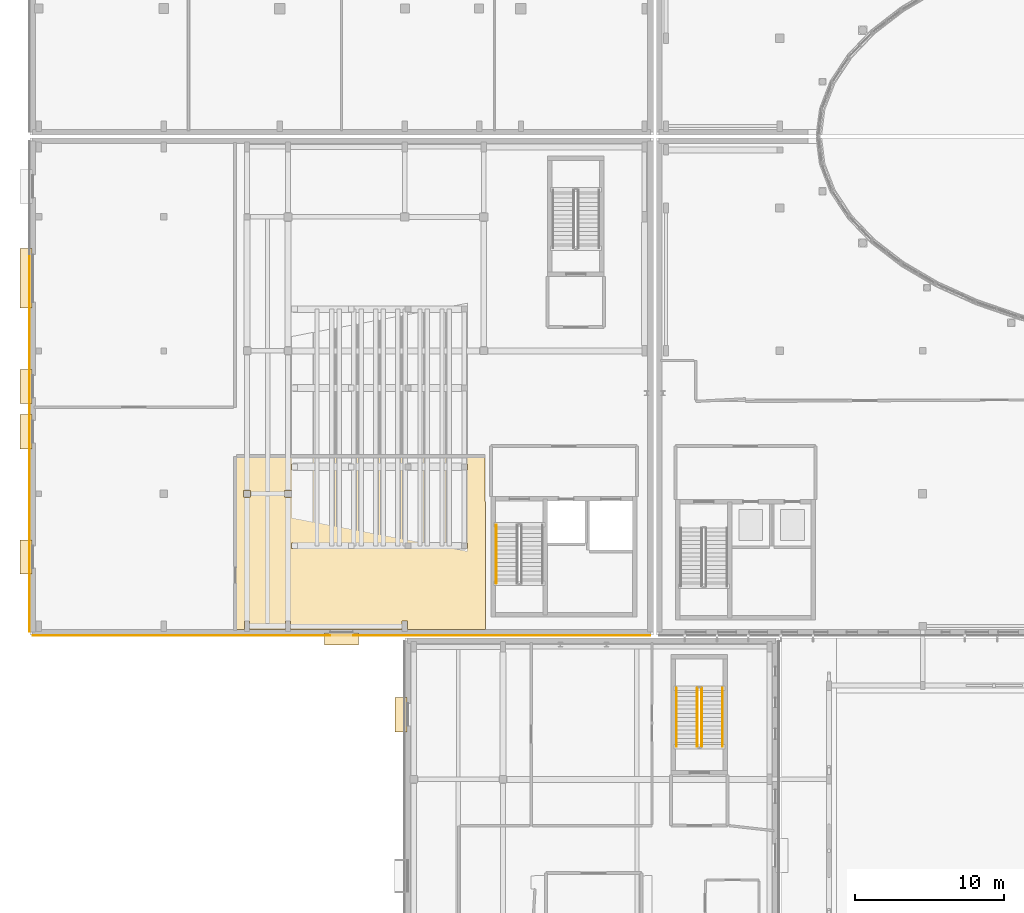
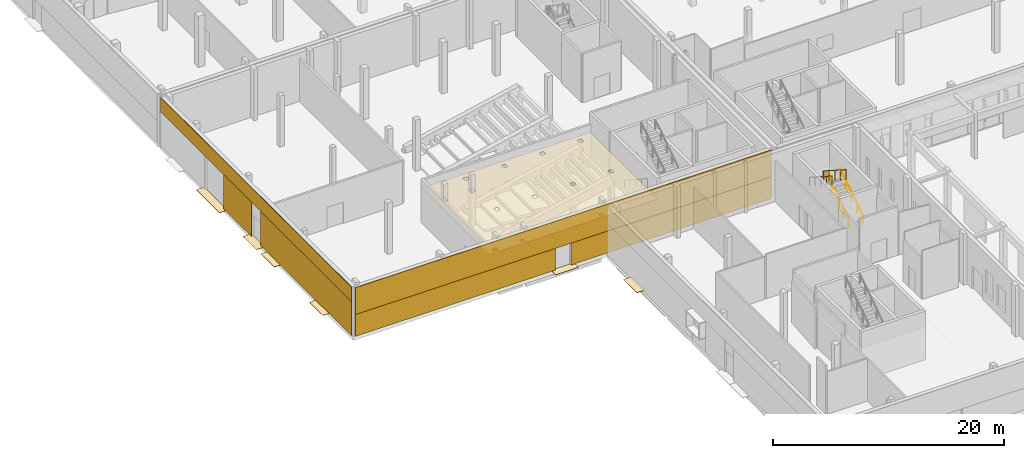
# One storey, part 59 of 84: 13 coverings, 5 railings.
"""IFC4 building model written with IfcOpenShell, lengths in metres."""

from ifc_helpers import new_model, si_unit, direction, frame, origin, origin_2d, place, context, subcontext, project, spatial, polyline, rectangle, circle, outline, extrude, material, layer, layer_set, type_object, element, save


model = new_model("IFC4")

# Units and contexts
model_context = context("Model", 3, precision=1e-05, world=origin(), true_north=direction((0.0, 1.0)))
body_context = subcontext(model_context, "Body", "Model", "MODEL_VIEW")
ifc_project = project(units=[si_unit("LENGTHUNIT", "METRE"), si_unit("AREAUNIT", "SQUARE_METRE"), si_unit("VOLUMEUNIT", "CUBIC_METRE"), si_unit("PLANEANGLEUNIT", "RADIAN"), si_unit("MASSUNIT", "GRAM", prefix="KILO")], contexts=[model_context])

# Site, building, storey
site_placement = place(None, origin())
site = spatial("IfcSite", under=ifc_project, at=site_placement, CompositionType="ELEMENT")
building_placement = place(site_placement, origin())
building = spatial("IfcBuilding", under=site, at=building_placement, Name="Mzevani Central Library", CompositionType="ELEMENT")
storey_placement = place(building_placement, origin())
storey = spatial("IfcBuildingStorey", under=building, at=storey_placement, Name="L00", CompositionType="ELEMENT", Elevation=0.0)

# Railings
ifc_material_1 = material(Name="Brushed stainless steel rail", Category="steel")
railing_type_1 = type_object("IfcRailingType", Name="Interior Gallery and Stair Guard 1100", PredefinedType="BALUSTRADE", material=ifc_material_1)
railing_1_placement = place(storey_placement, frame((49.14990234375, 35.0, 0.179931640625)))
element("IfcRailing", 1, at=railing_1_placement, inside=storey, type_object=railing_type_1, Name="L00 ST-08 stair guard 1", PredefinedType="BALUSTRADE", context=body_context, shape_type="SweptSolid", body=[
    extrude(circle(Radius=0.02392578125, at=origin_2d()), frame((0.0, 0.0, 1.076171875), z_axis=(0.0, 0.841171666519, 0.540768182723), x_axis=(-1.0, 0.0, 0.0)), (0.0, 0.0, 1.0), 4.66015625),
    extrude(circle(Radius=0.02099609375, at=origin_2d()), origin(), (0.0, 0.0, 1.0), 1.052001953125),
    extrude(circle(Radius=0.02099609375, at=origin_2d()), frame((0.0, 0.97998046875, 0.6298828125)), (0.0, 0.0, 1.0), 1.052001953125),
    extrude(circle(Radius=0.02099609375, at=origin_2d()), frame((0.0, 1.9599609375, 1.260009765625)), (0.0, 0.0, 1.0), 1.052001953125),
    extrude(circle(Radius=0.02099609375, at=origin_2d()), frame((0.0, 2.93994140625, 1.89013671875)), (0.0, 0.0, 1.0), 1.052001953125),
    extrude(circle(Radius=0.02099609375, at=origin_2d()), frame((0.0, 3.919921875, 2.52001953125)), (0.0, 0.0, 1.0), 1.052001953125),
])
railing_2_placement = place(storey_placement, frame((48.85009765625, 38.919921875, 2.8798828125)))
element("IfcRailing", 2, at=railing_2_placement, inside=storey, type_object=railing_type_1, Name="L00 ST-08 stair guard 3", PredefinedType="BALUSTRADE", context=body_context, shape_type="SweptSolid", body=[
    extrude(circle(Radius=0.02392578125, at=origin_2d()), frame((0.0, 0.0, 1.076171875), z_axis=(0.0, -0.841171666519, 0.540768182723), x_axis=(1.0, 0.0, 0.0)), (0.0, 0.0, 1.0), 4.66015625),
    extrude(circle(Radius=0.02099609375, at=origin_2d()), origin(), (0.0, 0.0, 1.0), 1.052001953125),
    extrude(circle(Radius=0.02099609375, at=origin_2d()), frame((0.0, -0.97998046875, 0.6298828125)), (0.0, 0.0, 1.0), 1.052001953125),
    extrude(circle(Radius=0.02099609375, at=origin_2d()), frame((0.0, -1.9599609375, 1.260009765625)), (0.0, 0.0, 1.0), 1.052001953125),
    extrude(circle(Radius=0.02099609375, at=origin_2d()), frame((0.0, -2.93994140625, 1.89013671875)), (0.0, 0.0, 1.0), 1.052001953125),
    extrude(circle(Radius=0.02099609375, at=origin_2d()), frame((0.0, -3.919921875, 2.52001953125)), (0.0, 0.0, 1.0), 1.052001953125),
])

# Coverings
ifc_material_2 = material(Name="Limestone ashlar cladding", Category="masonry")
ifc_layer_1 = layer(ifc_material_2, 0.050048828125, Name="Limestone Ashlar Spandrel Cladding")
ifc_layer_set_1 = layer_set([ifc_layer_1], Name="Limestone ashlar cladding")
covering_type_1 = type_object("IfcCoveringType", Name="Limestone Ashlar Spandrel Cladding", PredefinedType="CLADDING", material=ifc_layer_set_1)
covering_1_placement = place(storey_placement, frame((24.949951171875, 42.47607421875, 2.2998046875), z_axis=(0.0, 0.0, 1.0), x_axis=(-1.0, 0.0, 0.0)))
element("IfcCovering", 3, at=covering_1_placement, inside=storey, type_object=covering_type_1, Name="L00 Warm-White Facade Spandrel (EW4-V5-L00-0088)", PredefinedType="CLADDING", context=body_context, shape_type="SweptSolid", body=[
    extrude(rectangle(XDim=41.47998046875, YDim=0.050048828125, at=origin_2d()), origin(), (0.0, 0.0, 1.0), 2.840087890625),
])
for number, where, z_axis, x_axis, name in (
    (4, (35.705078125, 42.47607421875, 0.0), (0.0, 0.0, 1.0), (-1.0, 0.0, 0.0), "L00 Warm-White Facade Pier 1 (EW4-V5-L00-0088)"),
    (5, (14.195068359375, 42.47607421875, 0.0), (0.0, 0.0, 1.0), (-1.0, 0.0, 0.0), "L00 Warm-White Facade Pier 2 (EW4-V5-L00-0088)"),
):
    element("IfcCovering", number, at=place(storey_placement, frame(where, z_axis=z_axis, x_axis=x_axis)), inside=storey, type_object=covering_type_1, Name=name, PredefinedType="CLADDING", context=body_context, shape_type="SweptSolid", body=[
        extrude(rectangle(XDim=19.969970703125, YDim=0.050048828125, at=origin_2d()), origin(), (0.0, 0.0, 1.0), 2.300048828125),
    ])
covering_2_placement = place(storey_placement, frame((3.97607421875, 59.199951171875, 3.60009765625), z_axis=(0.0, 0.0, 1.0), x_axis=(0.0, 1.0, 0.0)))
element("IfcCovering", 6, at=covering_2_placement, inside=storey, type_object=covering_type_1, Name="L00 Warm-White Facade Spandrel (EW4-V5-L00-0089)", PredefinedType="CLADDING", context=body_context, shape_type="SweptSolid", body=[
    extrude(rectangle(XDim=32.97998046875, YDim=0.050048828125, at=origin_2d()), origin(), (0.0, 0.0, 1.0), 1.5400390625),
])
covering_3_placement = place(storey_placement, frame((3.97607421875, 50.570068359375, 0.0), z_axis=(0.0, 0.0, 1.0), x_axis=(0.0, 1.0, 0.0)))
element("IfcCovering", 7, at=covering_3_placement, inside=storey, type_object=covering_type_1, Name="L00 Warm-White Facade Pier 1 (EW4-V5-L00-0089)", PredefinedType="CLADDING", context=body_context, shape_type="SweptSolid", body=[
    extrude(rectangle(XDim=15.719970703125, YDim=0.050048828125, at=origin_2d()), origin(), (0.0, 0.0, 1.0), 3.60009765625),
])
covering_4_placement = place(storey_placement, frame((3.97607421875, 62.4072265625, 0.0), z_axis=(0.0, 0.0, 1.0), x_axis=(0.0, 1.0, 0.0)))
element("IfcCovering", 8, at=covering_4_placement, inside=storey, type_object=covering_type_1, Name="L00 Warm-White Facade Pier 2 (EW4-V5-L00-0089)", PredefinedType="CLADDING", context=body_context, shape_type="SweptSolid", body=[
    extrude(rectangle(XDim=4.87451171875, YDim=0.050048828125, at=origin_2d()), origin(), (0.0, 0.0, 1.0), 3.60009765625),
])
ifc_material_3 = material(Name="Mineral wool acoustic ceiling")
ifc_layer_2 = layer(ifc_material_3, 0.0400390625, Name="Perforated Timber Acoustic Ceiling")
ifc_layer_set_2 = layer_set([ifc_layer_2], Name="Mineral wool acoustic ceiling")
covering_type_2 = type_object("IfcCoveringType", Name="Perforated Timber Acoustic Ceiling", PredefinedType="CEILING", material=ifc_layer_set_2)
covering_5_placement = place(storey_placement, frame((0.0, 0.0, 3.550048828125)))
element("IfcCovering", 9, at=covering_5_placement, inside=storey, type_object=covering_type_2, Name="L00 Raked Civic Auditorium Acoustic Ceiling", PredefinedType="CEILING", context=body_context, shape_type="SweptSolid", body=[
    extrude(outline(polyline([(34.607177734375, 42.872802734375), (29.375, 42.8701171875), (29.375, 43.449951171875), (29.02490234375, 43.449951171875), (29.02490234375, 42.8701171875), (21.52490234375, 42.8701171875), (21.52490234375, 43.449951171875), (21.175048828125, 43.449951171875), (21.175048828125, 42.8701171875), (18.77490234375, 42.8701171875), (18.77490234375, 43.449951171875), (18.425048828125, 43.449951171875), (18.425048828125, 42.8701171875), (17.79443359375, 42.87158203125), (17.791748046875, 54.5126953125), (34.605712890625, 54.515380859375), (34.607177734375, 42.872802734375)]), holes=[polyline([(18.824951171875, 51.77490234375), (18.824951171875, 52.22509765625), (18.375, 52.22509765625), (18.375, 51.77490234375), (18.824951171875, 51.77490234375)]), polyline([(21.125, 52.22509765625), (21.125, 51.77490234375), (21.574951171875, 51.77490234375), (21.574951171875, 52.22509765625), (21.125, 52.22509765625)]), polyline([(22.0, 48.300048828125), (22.0, 48.699951171875), (21.60009765625, 48.699951171875), (21.60009765625, 48.300048828125), (22.0, 48.300048828125)]), polyline([(25.39990234375, 48.300048828125), (25.800048828125, 48.300048828125), (25.800048828125, 48.699951171875), (25.39990234375, 48.699951171875), (25.39990234375, 48.300048828125)]), polyline([(29.199951171875, 48.699951171875), (29.199951171875, 48.300048828125), (29.60009765625, 48.300048828125), (29.60009765625, 48.699951171875), (29.199951171875, 48.699951171875)]), polyline([(33.39990234375, 48.699951171875), (33.0, 48.699951171875), (33.0, 48.300048828125), (33.39990234375, 48.300048828125), (33.39990234375, 48.699951171875)]), polyline([(22.0, 53.60009765625), (22.0, 54.0), (21.60009765625, 54.0), (21.60009765625, 53.60009765625), (22.0, 53.60009765625)]), polyline([(25.39990234375, 53.60009765625), (25.800048828125, 53.60009765625), (25.800048828125, 54.0), (25.39990234375, 54.0), (25.39990234375, 53.60009765625)]), polyline([(29.199951171875, 54.0), (29.199951171875, 53.60009765625), (29.60009765625, 53.60009765625), (29.60009765625, 54.0), (29.199951171875, 54.0)]), polyline([(33.39990234375, 54.0), (33.0, 54.0), (33.0, 53.60009765625), (33.39990234375, 53.60009765625), (33.39990234375, 54.0)])]), origin(), (0.0, 0.0, 1.0), 0.0400390625),
])

# Railings
railing_type_2 = type_object("IfcRailingType", Name="Stair Wall Handrail 920", PredefinedType="HANDRAIL", material=ifc_material_1)
railing_3_placement = place(storey_placement, frame((50.550048828125, 35.0, 0.179931640625)))
element("IfcRailing", 10, at=railing_3_placement, inside=storey, type_object=railing_type_2, Name="L00 ST-08 stair handrail 1", PredefinedType="HANDRAIL", context=body_context, shape_type="SweptSolid", body=[
    extrude(circle(Radius=0.02392578125, at=origin_2d()), frame((0.0, 0.0, 0.89599609375), z_axis=(0.0, 0.841171666519, 0.540768182723), x_axis=(-1.0, 0.0, 0.0)), (0.0, 0.0, 1.0), 4.66015625),
    extrude(circle(Radius=0.02099609375, at=origin_2d()), origin(), (0.0, 0.0, 1.0), 0.871826171875),
    extrude(circle(Radius=0.02099609375, at=origin_2d()), frame((0.0, 0.97998046875, 0.6298828125)), (0.0, 0.0, 1.0), 0.871826171875),
    extrude(circle(Radius=0.02099609375, at=origin_2d()), frame((0.0, 1.9599609375, 1.260009765625)), (0.0, 0.0, 1.0), 0.871826171875),
    extrude(circle(Radius=0.02099609375, at=origin_2d()), frame((0.0, 2.93994140625, 1.89013671875)), (0.0, 0.0, 1.0), 0.871826171875),
    extrude(circle(Radius=0.02099609375, at=origin_2d()), frame((0.0, 3.919921875, 2.52001953125)), (0.0, 0.0, 1.0), 0.871826171875),
])
for number, where, name in (
    (11, (47.449951171875, 38.919921875, 2.8798828125), "L00 ST-08 stair handrail 2"),
    (12, (35.35009765625, 49.89990234375, 0.179931640625), "L00 ST-09 stair handrail 1"),
):
    element("IfcRailing", number, at=place(storey_placement, frame(where)), inside=storey, type_object=railing_type_2, Name=name, PredefinedType="HANDRAIL", context=body_context, shape_type="SweptSolid", body=[
        extrude(circle(Radius=0.02392578125, at=origin_2d()), frame((0.0, 0.0, 0.89599609375), z_axis=(0.0, -0.841171666519, 0.540768182723), x_axis=(1.0, 0.0, 0.0)), (0.0, 0.0, 1.0), 4.66015625),
        extrude(circle(Radius=0.02099609375, at=origin_2d()), origin(), (0.0, 0.0, 1.0), 0.871826171875),
        extrude(circle(Radius=0.02099609375, at=origin_2d()), frame((0.0, -0.97998046875, 0.6298828125)), (0.0, 0.0, 1.0), 0.871826171875),
        extrude(circle(Radius=0.02099609375, at=origin_2d()), frame((0.0, -1.9599609375, 1.260009765625)), (0.0, 0.0, 1.0), 0.871826171875),
        extrude(circle(Radius=0.02099609375, at=origin_2d()), frame((0.0, -2.93994140625, 1.89013671875)), (0.0, 0.0, 1.0), 0.871826171875),
        extrude(circle(Radius=0.02099609375, at=origin_2d()), frame((0.0, -3.919921875, 2.52001953125)), (0.0, 0.0, 1.0), 0.871826171875),
    ])

# Coverings
ifc_material_4 = material(Name="Terrazzo stone flooring", Category="masonry")
ifc_layer_3 = layer(ifc_material_4, 0.030029296875, Name="Terrazzo Stone Floor Finish")
ifc_layer_set_3 = layer_set([ifc_layer_3], Name="Terrazzo stone flooring")
covering_type_3 = type_object("IfcCoveringType", Name="Terrazzo Stone Floor Finish", PredefinedType="FLOORING", material=ifc_layer_set_3)
for number, where, z_axis, x_axis, name in (
    (13, (24.949951171875, 42.239990234375, -0.0400390625), (0.0, 0.0, 1.0), (-1.0, 0.0, 0.0), "L00 V5 Exterior Entrance Threshold Apron (31)"),
    (14, (3.739990234375, 56.156982421875, -0.0400390625), (0.0, 0.0, 1.0), (0.0, 1.0, 0.0), "L00 V5 Protected Exit Corridor Final Discharge Apron"),
):
    element("IfcCovering", number, at=place(storey_placement, frame(where, z_axis=z_axis, x_axis=x_axis)), inside=storey, type_object=covering_type_3, Name=name, PredefinedType="FLOORING", context=body_context, shape_type="SweptSolid", body=[
        extrude(rectangle(XDim=2.300048828125, YDim=0.800048828125, at=origin_2d()), origin(), (0.0, 0.0, 1.0), 0.0400390625),
    ])
covering_6_placement = place(storey_placement, frame((3.739990234375, 66.46435546875, -0.0400390625), z_axis=(0.0, 0.0, 1.0), x_axis=(0.0, 1.0, 0.0)))
element("IfcCovering", 15, at=covering_6_placement, inside=storey, type_object=covering_type_3, Name="L00 Book Delivery Loading Apron", PredefinedType="FLOORING", context=body_context, shape_type="SweptSolid", body=[
    extrude(rectangle(XDim=4.0, YDim=0.800048828125, at=origin_2d()), origin(), (0.0, 0.0, 1.0), 0.0400390625),
])
for number, where, z_axis, x_axis, name in (
    (16, (3.739990234375, 59.199951171875, -0.0400390625), (0.0, 0.0, 1.0), (0.0, 1.0, 0.0), "L00 V5 Exterior Entrance Threshold Apron (34)"),
    (17, (28.93994140625, 37.14990234375, -0.0400390625), (0.0, 0.0, 1.0), (0.0, 1.0, 0.0), "L00 ST-08 Final Exit Discharge Apron"),
    (18, (3.739990234375, 47.75, -0.0400390625), (0.0, 0.0, 1.0), (0.0, 1.0, 0.0), "L00 ST-09 Final Exit Discharge Apron"),
):
    element("IfcCovering", number, at=place(storey_placement, frame(where, z_axis=z_axis, x_axis=x_axis)), inside=storey, type_object=covering_type_3, Name=name, PredefinedType="FLOORING", context=body_context, shape_type="SweptSolid", body=[
        extrude(rectangle(XDim=2.300048828125, YDim=0.800048828125, at=origin_2d()), origin(), (0.0, 0.0, 1.0), 0.0400390625),
    ])

save(model, "model.ifc")
